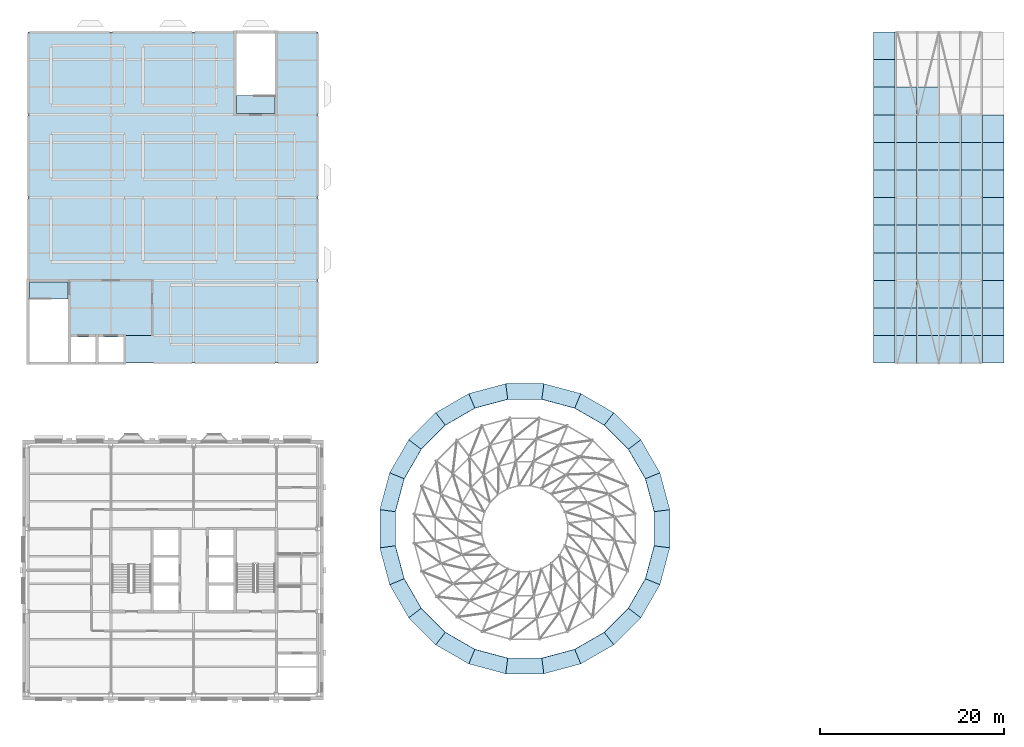
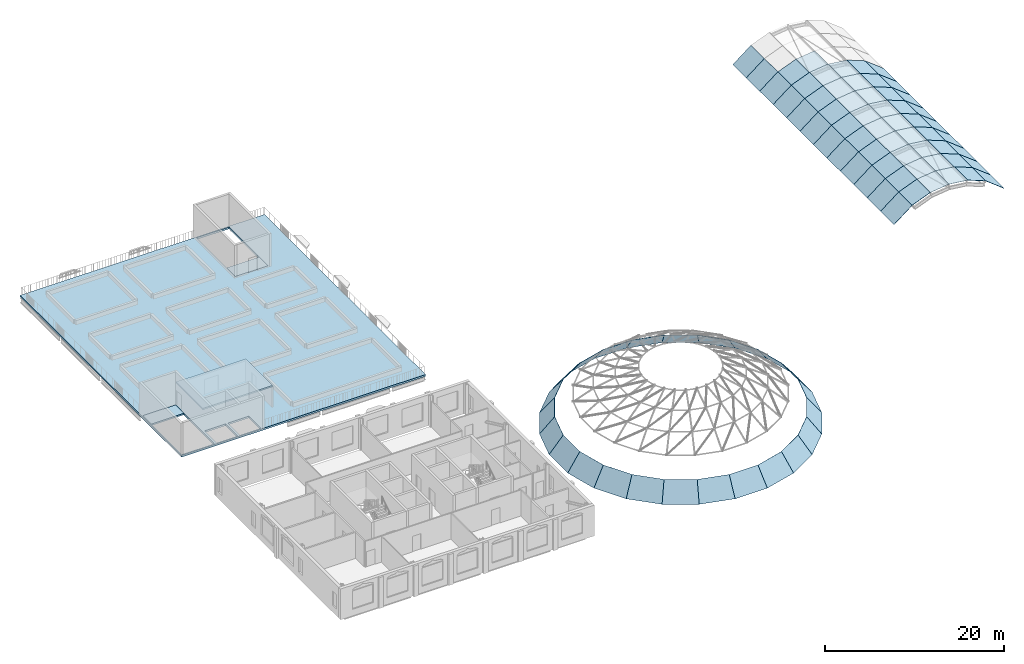
# One storey, part 10 of 33: 83 plates, 4 slabs.
"""IFC4 building model written with IfcOpenShell, lengths in metres."""

from ifc_helpers import new_model, si_unit, direction, frame, origin, place, context, subcontext, project, spatial, polyline, outline, extrude, material, layer, layer_set, type_object, element, save


model = new_model("IFC4")

# Units and contexts
model_context = context("Model", 3, precision=1e-05, world=origin(), true_north=direction((0.0, 1.0)))
body_context = subcontext(model_context, "Body", "Model", "MODEL_VIEW")
ifc_project = project(units=[si_unit("LENGTHUNIT", "METRE"), si_unit("AREAUNIT", "SQUARE_METRE"), si_unit("VOLUMEUNIT", "CUBIC_METRE"), si_unit("PLANEANGLEUNIT", "RADIAN"), si_unit("MASSUNIT", "GRAM", prefix="KILO")], contexts=[model_context])

# Site, building, storey
site_placement = place(None, origin())
site = spatial("IfcSite", under=ifc_project, at=site_placement, CompositionType="ELEMENT")
building_placement = place(site_placement, origin())
building = spatial("IfcBuilding", under=site, at=building_placement, Name="Hortulan Conservatory and Botanical Research Centre", CompositionType="ELEMENT")
storey_placement = place(building_placement, frame((0.0, 0.0, 19.199951171875)))
storey = spatial("IfcBuildingStorey", under=building, at=storey_placement, Name="L04", CompositionType="ELEMENT", Elevation=19.199951171875)

# Plates
ifc_material_1 = material(Name="Low-e laminated glass", Category="glass")
ifc_layer_1 = layer(ifc_material_1, 0.030029296875)
ifc_layer_set_1 = layer_set([ifc_layer_1], Name="Dome Glazing Panel 30")
plate_type_1 = type_object("IfcPlateType", Name="Dome Glazing Panel 30", PredefinedType="SHEET", material=ifc_layer_set_1)
plate_1_placement = place(storey_placement, frame((69.766357421875, 20.07568359375, -3.618408203125), z_axis=(0.766346251822, 0.205325470037, 0.608732185508), x_axis=(-0.258805581801, 0.965929433637, 7.840195e-06)))
element("IfcPlate", 1, at=plate_1_placement, inside=storey, type_object=plate_type_1, Name="Dome glazing panel", PredefinedType="SHEET", context=body_context, shape_type="SweptSolid", body=[
    extrude(outline(polyline([(0.0, 0.0), (4.151463455322613, 0.0), (3.928000753932825, 2.786092645799239), (0.223185529814084, 2.786170282096055), (0.0, 0.0)])), origin(), (0.0, 0.0, -1.0), 0.030029296875),
])
plate_2_placement = place(storey_placement, frame((68.69189453125, 24.085693359375, -3.618408203125), z_axis=(0.687073397687, 0.396691939457, 0.608741038012), x_axis=(-0.500004925893, 0.866022559774, -6.711485e-06)))
element("IfcPlate", 2, at=plate_2_placement, inside=storey, type_object=plate_type_1, Name="Dome glazing panel", PredefinedType="SHEET", context=body_context, shape_type="SweptSolid", body=[
    extrude(outline(polyline([(0.0, 0.0), (4.151389183392515, 0.0), (3.928004021590868, 2.7861885444961767), (0.2230953647970788, 2.786122084342166), (0.0, 0.0)])), origin(), (0.0, 0.0, -1.0), 0.030029296875),
])
plate_3_placement = place(storey_placement, frame((66.6162109375, 27.680908203125, -3.618408203125), z_axis=(0.560987155401, 0.560987155401, 0.608758427415), x_axis=(-0.707106781187, 0.707106781187, 0.0)))
element("IfcPlate", 3, at=plate_3_placement, inside=storey, type_object=plate_type_1, Name="Dome glazing panel", PredefinedType="SHEET", context=body_context, shape_type="SweptSolid", body=[
    extrude(outline(polyline([(0.0, 0.0), (4.151144936623956, 0.0), (3.9279298321136515, 2.78620217414462), (0.22321510451030424, 2.78620217414462), (0.0, 0.0)])), origin(), (0.0, 0.0, -1.0), 0.030029296875),
])
plate_4_placement = place(storey_placement, frame((63.680908203125, 30.6162109375, -3.618408203125), z_axis=(0.396691939457, 0.687073397687, 0.608741038012), x_axis=(-0.866022559774, 0.500004925893, 6.711485e-06)))
element("IfcPlate", 4, at=plate_4_placement, inside=storey, type_object=plate_type_1, Name="Dome glazing panel", PredefinedType="SHEET", context=body_context, shape_type="SweptSolid", body=[
    extrude(outline(polyline([(0.0, 0.0), (4.151389183392515, 0.0), (3.928293818595436, 2.786122084342166), (0.22338516180164736, 2.786188544496177), (0.0, 0.0)])), origin(), (0.0, 0.0, -1.0), 0.030029296875),
])
plate_5_placement = place(storey_placement, frame((60.085693359375, 32.69189453125, -3.618408203125), z_axis=(0.205325470037, 0.766346251822, 0.608732185508), x_axis=(-0.965929433637, 0.258805581801, -7.840195e-06)))
element("IfcPlate", 5, at=plate_5_placement, inside=storey, type_object=plate_type_1, Name="Dome glazing panel", PredefinedType="SHEET", context=body_context, shape_type="SweptSolid", body=[
    extrude(outline(polyline([(0.0, 0.0), (4.151463455322613, 0.0), (3.9282779255085294, 2.786170282096055), (0.22346270138978802, 2.786092645799239), (0.0, 0.0)])), origin(), (0.0, 0.0, -1.0), 0.030029296875),
])
plate_6_placement = place(storey_placement, frame((56.07568359375, 33.766357421875, -3.618408203125), z_axis=(0.0, 0.79336936033, 0.608740550719), x_axis=(-1.0, 0.0, 0.0)))
element("IfcPlate", 6, at=plate_6_placement, inside=storey, type_object=plate_type_1, Name="Dome glazing panel", PredefinedType="SHEET", context=body_context, shape_type="SweptSolid", body=[
    extrude(outline(polyline([(0.0, 0.0), (4.1513671875, 0.0), (3.927978515625, 2.786154002507841), (0.223388671875, 2.786154002507841), (0.0, 0.0)])), origin(), (0.0, 0.0, -1.0), 0.030029296875),
])
plate_7_placement = place(storey_placement, frame((51.92431640625, 33.766357421875, -3.618408203125), z_axis=(-0.205325470037, 0.766346251822, 0.608732185508), x_axis=(-0.965929433637, -0.258805581801, 7.840195e-06)))
element("IfcPlate", 7, at=plate_7_placement, inside=storey, type_object=plate_type_1, Name="Dome glazing panel", PredefinedType="SHEET", context=body_context, shape_type="SweptSolid", body=[
    extrude(outline(polyline([(0.0, 0.0), (4.151463455322613, 0.0), (3.928000753932825, 2.786092645799239), (0.223185529814084, 2.786170282096055), (0.0, 0.0)])), origin(), (0.0, 0.0, -1.0), 0.030029296875),
])
plate_8_placement = place(storey_placement, frame((47.914306640625, 32.69189453125, -3.618408203125), z_axis=(-0.396691939457, 0.687073397687, 0.608741038012), x_axis=(-0.866022559774, -0.500004925893, -6.711485e-06)))
element("IfcPlate", 8, at=plate_8_placement, inside=storey, type_object=plate_type_1, Name="Dome glazing panel", PredefinedType="SHEET", context=body_context, shape_type="SweptSolid", body=[
    extrude(outline(polyline([(0.0, 0.0), (4.151389183392515, 0.0), (3.928004021590868, 2.7861885444961767), (0.2230953647970788, 2.786122084342166), (0.0, 0.0)])), origin(), (0.0, 0.0, -1.0), 0.030029296875),
])
plate_9_placement = place(storey_placement, frame((44.319091796875, 30.6162109375, -3.618408203125), z_axis=(-0.560987155401, 0.560987155401, 0.608758427415), x_axis=(-0.707106781187, -0.707106781187, 0.0)))
element("IfcPlate", 9, at=plate_9_placement, inside=storey, type_object=plate_type_1, Name="Dome glazing panel", PredefinedType="SHEET", context=body_context, shape_type="SweptSolid", body=[
    extrude(outline(polyline([(0.0, 0.0), (4.151144936623956, 0.0), (3.9279298321136515, 2.78620217414462), (0.22321510451030424, 2.78620217414462), (0.0, 0.0)])), origin(), (0.0, 0.0, -1.0), 0.030029296875),
])
plate_10_placement = place(storey_placement, frame((41.3837890625, 27.680908203125, -3.618408203125), z_axis=(-0.687073397687, 0.396691939457, 0.608741038012), x_axis=(-0.500004925893, -0.866022559774, 6.711485e-06)))
element("IfcPlate", 10, at=plate_10_placement, inside=storey, type_object=plate_type_1, Name="Dome glazing panel", PredefinedType="SHEET", context=body_context, shape_type="SweptSolid", body=[
    extrude(outline(polyline([(0.0, 0.0), (4.151389183392515, 0.0), (3.928293818595436, 2.786122084342166), (0.22338516180164736, 2.786188544496177), (0.0, 0.0)])), origin(), (0.0, 0.0, -1.0), 0.030029296875),
])
plate_11_placement = place(storey_placement, frame((39.30810546875, 24.085693359375, -3.618408203125), z_axis=(-0.766346251822, 0.205325470037, 0.608732185508), x_axis=(-0.258805581801, -0.965929433637, -7.840195e-06)))
element("IfcPlate", 11, at=plate_11_placement, inside=storey, type_object=plate_type_1, Name="Dome glazing panel", PredefinedType="SHEET", context=body_context, shape_type="SweptSolid", body=[
    extrude(outline(polyline([(0.0, 0.0), (4.151463455322613, 0.0), (3.9282779255085294, 2.786170282096055), (0.22346270138978802, 2.786092645799239), (0.0, 0.0)])), origin(), (0.0, 0.0, -1.0), 0.030029296875),
])
plate_12_placement = place(storey_placement, frame((38.233642578125, 20.07568359375, -3.618408203125), z_axis=(-0.79336936033, 0.0, 0.608740550719), x_axis=(0.0, -1.0, 0.0)))
element("IfcPlate", 12, at=plate_12_placement, inside=storey, type_object=plate_type_1, Name="Dome glazing panel", PredefinedType="SHEET", context=body_context, shape_type="SweptSolid", body=[
    extrude(outline(polyline([(0.0, 0.0), (4.1513671875, 0.0), (3.927978515625, 2.786154002507841), (0.223388671875, 2.786154002507841), (0.0, 0.0)])), origin(), (0.0, 0.0, -1.0), 0.030029296875),
])
plate_13_placement = place(storey_placement, frame((38.233642578125, 15.92431640625, -3.618408203125), z_axis=(-0.766346251822, -0.205325470037, 0.608732185508), x_axis=(0.258805581801, -0.965929433637, 7.840195e-06)))
element("IfcPlate", 13, at=plate_13_placement, inside=storey, type_object=plate_type_1, Name="Dome glazing panel", PredefinedType="SHEET", context=body_context, shape_type="SweptSolid", body=[
    extrude(outline(polyline([(0.0, 0.0), (4.151463455322613, 0.0), (3.928000753932825, 2.786092645799239), (0.223185529814084, 2.786170282096055), (0.0, 0.0)])), origin(), (0.0, 0.0, -1.0), 0.030029296875),
])
plate_14_placement = place(storey_placement, frame((39.30810546875, 11.914306640625, -3.618408203125), z_axis=(-0.687073397687, -0.396691939457, 0.608741038012), x_axis=(0.500004925893, -0.866022559774, -6.711485e-06)))
element("IfcPlate", 14, at=plate_14_placement, inside=storey, type_object=plate_type_1, Name="Dome glazing panel", PredefinedType="SHEET", context=body_context, shape_type="SweptSolid", body=[
    extrude(outline(polyline([(0.0, 0.0), (4.151389183392515, 0.0), (3.928004021590868, 2.7861885444961767), (0.2230953647970788, 2.786122084342166), (0.0, 0.0)])), origin(), (0.0, 0.0, -1.0), 0.030029296875),
])
plate_15_placement = place(storey_placement, frame((41.3837890625, 8.319091796875, -3.618408203125), z_axis=(-0.560987155401, -0.560987155401, 0.608758427415), x_axis=(0.707106781187, -0.707106781187, 0.0)))
element("IfcPlate", 15, at=plate_15_placement, inside=storey, type_object=plate_type_1, Name="Dome glazing panel", PredefinedType="SHEET", context=body_context, shape_type="SweptSolid", body=[
    extrude(outline(polyline([(0.0, 0.0), (4.151144936623956, 0.0), (3.9279298321136515, 2.78620217414462), (0.22321510451030424, 2.78620217414462), (0.0, 0.0)])), origin(), (0.0, 0.0, -1.0), 0.030029296875),
])
plate_16_placement = place(storey_placement, frame((44.319091796875, 5.3837890625, -3.618408203125), z_axis=(-0.396691939457, -0.687073397687, 0.608741038012), x_axis=(0.866022559774, -0.500004925893, 6.711485e-06)))
element("IfcPlate", 16, at=plate_16_placement, inside=storey, type_object=plate_type_1, Name="Dome glazing panel", PredefinedType="SHEET", context=body_context, shape_type="SweptSolid", body=[
    extrude(outline(polyline([(0.0, 0.0), (4.151389183392515, 0.0), (3.928293818595436, 2.786122084342166), (0.22338516180164736, 2.786188544496177), (0.0, 0.0)])), origin(), (0.0, 0.0, -1.0), 0.030029296875),
])
plate_17_placement = place(storey_placement, frame((47.914306640625, 3.30810546875, -3.618408203125), z_axis=(-0.205325470037, -0.766346251822, 0.608732185508), x_axis=(0.965929433637, -0.258805581801, -7.840195e-06)))
element("IfcPlate", 17, at=plate_17_placement, inside=storey, type_object=plate_type_1, Name="Dome glazing panel", PredefinedType="SHEET", context=body_context, shape_type="SweptSolid", body=[
    extrude(outline(polyline([(0.0, 0.0), (4.151463455322613, 0.0), (3.9282779255085294, 2.786170282096055), (0.22346270138978802, 2.786092645799239), (0.0, 0.0)])), origin(), (0.0, 0.0, -1.0), 0.030029296875),
])
plate_18_placement = place(storey_placement, frame((51.92431640625, 2.233642578125, -3.618408203125), z_axis=(0.0, -0.79336936033, 0.608740550719), x_axis=(1.0, 0.0, 0.0)))
element("IfcPlate", 18, at=plate_18_placement, inside=storey, type_object=plate_type_1, Name="Dome glazing panel", PredefinedType="SHEET", context=body_context, shape_type="SweptSolid", body=[
    extrude(outline(polyline([(0.0, 0.0), (4.1513671875, 0.0), (3.927978515625, 2.786154002507841), (0.223388671875, 2.786154002507841), (0.0, 0.0)])), origin(), (0.0, 0.0, -1.0), 0.030029296875),
])
plate_19_placement = place(storey_placement, frame((56.07568359375, 2.233642578125, -3.618408203125), z_axis=(0.205325470037, -0.766346251822, 0.608732185508), x_axis=(0.965929433637, 0.258805581801, 7.840195e-06)))
element("IfcPlate", 19, at=plate_19_placement, inside=storey, type_object=plate_type_1, Name="Dome glazing panel", PredefinedType="SHEET", context=body_context, shape_type="SweptSolid", body=[
    extrude(outline(polyline([(0.0, 0.0), (4.151463455322613, 0.0), (3.928000753932825, 2.786092645799239), (0.223185529814084, 2.786170282096055), (0.0, 0.0)])), origin(), (0.0, 0.0, -1.0), 0.030029296875),
])
plate_20_placement = place(storey_placement, frame((60.085693359375, 3.30810546875, -3.618408203125), z_axis=(0.396691939457, -0.687073397687, 0.608741038012), x_axis=(0.866022559774, 0.500004925893, -6.711485e-06)))
element("IfcPlate", 20, at=plate_20_placement, inside=storey, type_object=plate_type_1, Name="Dome glazing panel", PredefinedType="SHEET", context=body_context, shape_type="SweptSolid", body=[
    extrude(outline(polyline([(0.0, 0.0), (4.151389183392515, 0.0), (3.928004021590868, 2.7861885444961767), (0.2230953647970788, 2.786122084342166), (0.0, 0.0)])), origin(), (0.0, 0.0, -1.0), 0.030029296875),
])
plate_21_placement = place(storey_placement, frame((63.680908203125, 5.3837890625, -3.618408203125), z_axis=(0.560987155401, -0.560987155401, 0.608758427415), x_axis=(0.707106781187, 0.707106781187, 0.0)))
element("IfcPlate", 21, at=plate_21_placement, inside=storey, type_object=plate_type_1, Name="Dome glazing panel", PredefinedType="SHEET", context=body_context, shape_type="SweptSolid", body=[
    extrude(outline(polyline([(0.0, 0.0), (4.151144936623956, 0.0), (3.9279298321136515, 2.78620217414462), (0.22321510451030424, 2.78620217414462), (0.0, 0.0)])), origin(), (0.0, 0.0, -1.0), 0.030029296875),
])
plate_22_placement = place(storey_placement, frame((66.6162109375, 8.319091796875, -3.618408203125), z_axis=(0.687073397687, -0.396691939457, 0.608741038012), x_axis=(0.500004925893, 0.866022559774, 6.711485e-06)))
element("IfcPlate", 22, at=plate_22_placement, inside=storey, type_object=plate_type_1, Name="Dome glazing panel", PredefinedType="SHEET", context=body_context, shape_type="SweptSolid", body=[
    extrude(outline(polyline([(0.0, 0.0), (4.151389183392515, 0.0), (3.928293818595436, 2.786122084342166), (0.22338516180164736, 2.786188544496177), (0.0, 0.0)])), origin(), (0.0, 0.0, -1.0), 0.030029296875),
])
plate_23_placement = place(storey_placement, frame((68.69189453125, 11.914306640625, -3.618408203125), z_axis=(0.766346251822, -0.205325470037, 0.608732185508), x_axis=(0.258805581801, 0.965929433637, -7.840195e-06)))
element("IfcPlate", 23, at=plate_23_placement, inside=storey, type_object=plate_type_1, Name="Dome glazing panel", PredefinedType="SHEET", context=body_context, shape_type="SweptSolid", body=[
    extrude(outline(polyline([(0.0, 0.0), (4.151463455322613, 0.0), (3.9282779255085294, 2.786170282096055), (0.22346270138978802, 2.786092645799239), (0.0, 0.0)])), origin(), (0.0, 0.0, -1.0), 0.030029296875),
])
plate_24_placement = place(storey_placement, frame((69.766357421875, 15.92431640625, -3.618408203125), z_axis=(0.79336936033, 0.0, 0.608740550719), x_axis=(0.0, 1.0, 0.0)))
element("IfcPlate", 24, at=plate_24_placement, inside=storey, type_object=plate_type_1, Name="Dome glazing panel", PredefinedType="SHEET", context=body_context, shape_type="SweptSolid", body=[
    extrude(outline(polyline([(0.0, 0.0), (4.1513671875, 0.0), (3.927978515625, 2.786154002507841), (0.223388671875, 2.786154002507841), (0.0, 0.0)])), origin(), (0.0, 0.0, -1.0), 0.030029296875),
])

# Slabs
ifc_material_2 = material(Name="Concrete N40 (40 MPa, AS 3600)", Category="concrete")
ifc_layer_2 = layer(ifc_material_2, 0.25)
ifc_layer_set_2 = layer_set([ifc_layer_2], Name="Landscaped Roof Slab 250")
slab_type_1 = type_object("IfcSlabType", Name="Landscaped Roof Slab 250", PredefinedType="ROOF", material=ifc_layer_set_2)
slab_1_placement = place(storey_placement, frame((0.0, 0.0, -0.25)))
element("IfcSlab", 25, at=slab_1_placement, inside=storey, type_object=slab_type_1, Name="Roof slab", PredefinedType="ROOF", context=body_context, shape_type="SweptSolid", body=[
    extrude(outline(polyline([(0.0, 36.0), (31.5, 36.0), (31.5, 72.0), (0.0, 72.0), (0.0, 36.0)]), holes=[polyline([(4.64990234375, 36.14990234375), (7.35009765625, 36.14990234375), (7.35009765625, 38.85009765625), (4.64990234375, 38.85009765625), (4.64990234375, 36.14990234375)]), polyline([(7.64990234375, 36.14990234375), (10.35009765625, 36.14990234375), (10.35009765625, 38.85009765625), (7.64990234375, 38.85009765625), (7.64990234375, 36.14990234375)]), polyline([(0.14990234375, 36.14990234375), (4.35009765625, 36.14990234375), (4.35009765625, 44.85009765625), (0.14990234375, 44.85009765625), (0.14990234375, 36.14990234375)]), polyline([(22.64990234375, 63.14990234375), (26.85009765625, 63.14990234375), (26.85009765625, 71.85009765625), (22.64990234375, 71.85009765625), (22.64990234375, 63.14990234375)])]), origin(), (0.0, 0.0, 1.0), 0.25),
])
ifc_layer_3 = layer(ifc_material_2, 0.199951171875)
ifc_layer_set_3 = layer_set([ifc_layer_3], Name="Roof Garden Lobby Roof Slab 200")
slab_type_2 = type_object("IfcSlabType", Name="Roof Garden Lobby Roof Slab 200", PredefinedType="ROOF", material=ifc_layer_set_3)
slab_2_placement = place(storey_placement, frame((0.0, 0.0, 2.800048828125)))
element("IfcSlab", 26, at=slab_2_placement, inside=storey, type_object=slab_type_2, Name="Roof garden lobby roof slab", PredefinedType="ROOF", context=body_context, shape_type="SweptSolid", body=[
    extrude(outline(polyline([(4.5, 39.0), (13.5, 39.0), (13.5, 45.0), (4.5, 45.0), (4.5, 39.0)])), origin(), (0.0, 0.0, 1.0), 0.199951171875),
])
ifc_layer_4 = layer(ifc_material_2, 0.199951171875)
ifc_layer_set_4 = layer_set([ifc_layer_4], Name="Stair Landing 200")
slab_type_3 = type_object("IfcSlabType", Name="Stair Landing 200", PredefinedType="LANDING", material=ifc_layer_set_4)
slab_3_placement = place(storey_placement, frame((0.0, 0.0, -0.199951171875)))
element("IfcSlab", 27, at=slab_3_placement, inside=storey, type_object=slab_type_3, Name="Stair V1 floor landing L04", PredefinedType="LANDING", context=body_context, shape_type="SweptSolid", body=[
    extrude(outline(polyline([(0.14990234375, 44.85009765625), (4.35009765625, 44.85009765625), (4.35009765625, 42.949951171875), (0.14990234375, 42.949951171875), (0.14990234375, 44.85009765625)])), origin(), (0.0, 0.0, 1.0), 0.199951171875),
])
slab_4_placement = place(storey_placement, frame((0.0, 0.0, -0.199951171875)))
element("IfcSlab", 28, at=slab_4_placement, inside=storey, type_object=slab_type_3, Name="Stair V2 floor landing L04", PredefinedType="LANDING", context=body_context, shape_type="SweptSolid", body=[
    extrude(outline(polyline([(26.85009765625, 63.14990234375), (22.64990234375, 63.14990234375), (22.64990234375, 65.10009765625), (26.85009765625, 65.10009765625), (26.85009765625, 63.14990234375)])), origin(), (0.0, 0.0, 1.0), 0.199951171875),
])

# Plates
ifc_material_3 = material(Name="Verdigris copper-green zinc sheet on timber decking", Category="wood")
ifc_layer_5 = layer(ifc_material_3, 0.0400390625)
ifc_layer_set_5 = layer_set([ifc_layer_5], Name="Vault Roof Zinc Panel 40")
plate_type_2 = type_object("IfcPlateType", Name="Vault Roof Zinc Panel 40", PredefinedType="SHEET", material=ifc_layer_set_5)
for number, where, z_axis, x_axis, name in (
    (29, (91.906005859375, 36.0, -0.710205078125), (-0.613063480961, 0.0, 0.790033650113), (0.790033650113, 0.0, 0.613063480961), "Vault roof panel"),
    (30, (91.906005859375, 39.0, -0.710205078125), (-0.613063480961, 0.0, 0.790033650113), (0.790033650113, 0.0, 0.613063480961), "Vault roof panel"),
    (31, (91.906005859375, 42.0, -0.710205078125), (-0.613063480961, 0.0, 0.790033650113), (0.790033650113, 0.0, 0.613063480961), "Vault roof panel"),
):
    element("IfcPlate", number, at=place(storey_placement, frame(where, z_axis=z_axis, x_axis=x_axis)), inside=storey, type_object=plate_type_2, Name=name, PredefinedType="SHEET", context=body_context, shape_type="SweptSolid", body=[
        extrude(outline(polyline([(0.0, 0.0), (2.968808966603175, 0.0), (2.968808966603175, 3.0), (0.0, 3.0), (0.0, 0.0)])), origin(), (0.0, 0.0, -1.0), 0.0400390625),
    ])
for number, where, z_axis, x_axis, name in (
    (32, (94.25146484375, 36.0, 1.10986328125), (-0.366524518382, 0.0, 0.930408392817), (0.930408392817, 0.0, 0.366524518382), "Vault roof panel"),
    (33, (94.25146484375, 39.0, 1.10986328125), (-0.366524518382, 0.0, 0.930408392817), (0.930408392817, 0.0, 0.366524518382), "Vault roof panel"),
    (34, (94.25146484375, 42.0, 1.10986328125), (-0.366524518382, 0.0, 0.930408392817), (0.930408392817, 0.0, 0.366524518382), "Vault roof panel"),
):
    element("IfcPlate", number, at=place(storey_placement, frame(where, z_axis=z_axis, x_axis=x_axis)), inside=storey, type_object=plate_type_2, Name=name, PredefinedType="SHEET", context=body_context, shape_type="SweptSolid", body=[
        extrude(outline(polyline([(0.0, 0.0), (2.511183045303114, 0.0), (2.511183045303114, 3.0), (0.0, 3.0), (0.0, 0.0)])), origin(), (0.0, 0.0, -1.0), 0.0400390625),
    ])
for number, where, z_axis, x_axis, name in (
    (35, (96.587890625, 36.0, 2.0302734375), (-0.122056241944, 0.0, 0.992523185524), (0.992523185524, 0.0, 0.122056241944), "Vault roof panel"),
    (36, (96.587890625, 39.0, 2.0302734375), (-0.122056241944, 0.0, 0.992523185524), (0.992523185524, 0.0, 0.122056241944), "Vault roof panel"),
    (37, (96.587890625, 42.0, 2.0302734375), (-0.122056241944, 0.0, 0.992523185524), (0.992523185524, 0.0, 0.122056241944), "Vault roof panel"),
    (38, (99.0, 36.0, 2.326904296875), (0.122056241944, 0.0, 0.992523185524), (0.992523185524, 0.0, -0.122056241944), "Vault roof panel"),
    (39, (99.0, 39.0, 2.326904296875), (0.122056241944, 0.0, 0.992523185524), (0.992523185524, 0.0, -0.122056241944), "Vault roof panel"),
    (40, (99.0, 42.0, 2.326904296875), (0.122056241944, 0.0, 0.992523185524), (0.992523185524, 0.0, -0.122056241944), "Vault roof panel"),
):
    element("IfcPlate", number, at=place(storey_placement, frame(where, z_axis=z_axis, x_axis=x_axis)), inside=storey, type_object=plate_type_2, Name=name, PredefinedType="SHEET", context=body_context, shape_type="SweptSolid", body=[
        extrude(outline(polyline([(0.0, 0.0), (2.4302801286469924, 0.0), (2.4302801286469924, 3.0), (0.0, 3.0), (0.0, 0.0)])), origin(), (0.0, 0.0, -1.0), 0.0400390625),
    ])
for number, where, z_axis, x_axis, name in (
    (41, (101.412109375, 36.0, 2.0302734375), (0.366524518382, 0.0, 0.930408392817), (0.930408392817, 0.0, -0.366524518382), "Vault roof panel"),
    (42, (101.412109375, 39.0, 2.0302734375), (0.366524518382, 0.0, 0.930408392817), (0.930408392817, 0.0, -0.366524518382), "Vault roof panel"),
    (43, (101.412109375, 42.0, 2.0302734375), (0.366524518382, 0.0, 0.930408392817), (0.930408392817, 0.0, -0.366524518382), "Vault roof panel"),
):
    element("IfcPlate", number, at=place(storey_placement, frame(where, z_axis=z_axis, x_axis=x_axis)), inside=storey, type_object=plate_type_2, Name=name, PredefinedType="SHEET", context=body_context, shape_type="SweptSolid", body=[
        extrude(outline(polyline([(0.0, 0.0), (2.511183045303114, 0.0), (2.511183045303114, 3.0), (0.0, 3.0), (0.0, 0.0)])), origin(), (0.0, 0.0, -1.0), 0.0400390625),
    ])
for number, where, z_axis, x_axis, name in (
    (44, (103.74853515625, 36.0, 1.10986328125), (0.613063480961, 0.0, 0.790033650113), (0.790033650113, 0.0, -0.613063480961), "Vault roof panel"),
    (45, (103.74853515625, 39.0, 1.10986328125), (0.613063480961, 0.0, 0.790033650113), (0.790033650113, 0.0, -0.613063480961), "Vault roof panel"),
    (46, (103.74853515625, 42.0, 1.10986328125), (0.613063480961, 0.0, 0.790033650113), (0.790033650113, 0.0, -0.613063480961), "Vault roof panel"),
    (47, (91.906005859375, 45.0, -0.710205078125), (-0.613063480961, 0.0, 0.790033650113), (0.790033650113, 0.0, 0.613063480961), "Vault roof panel"),
    (48, (91.906005859375, 48.0, -0.710205078125), (-0.613063480961, 0.0, 0.790033650113), (0.790033650113, 0.0, 0.613063480961), "Vault roof panel"),
    (49, (91.906005859375, 51.0, -0.710205078125), (-0.613063480961, 0.0, 0.790033650113), (0.790033650113, 0.0, 0.613063480961), "Vault roof panel"),
):
    element("IfcPlate", number, at=place(storey_placement, frame(where, z_axis=z_axis, x_axis=x_axis)), inside=storey, type_object=plate_type_2, Name=name, PredefinedType="SHEET", context=body_context, shape_type="SweptSolid", body=[
        extrude(outline(polyline([(0.0, 0.0), (2.968808966603175, 0.0), (2.968808966603175, 3.0), (0.0, 3.0), (0.0, 0.0)])), origin(), (0.0, 0.0, -1.0), 0.0400390625),
    ])
for number, where, z_axis, x_axis, name in (
    (50, (94.25146484375, 45.0, 1.10986328125), (-0.366524518382, 0.0, 0.930408392817), (0.930408392817, 0.0, 0.366524518382), "Vault roof panel"),
    (51, (94.25146484375, 48.0, 1.10986328125), (-0.366524518382, 0.0, 0.930408392817), (0.930408392817, 0.0, 0.366524518382), "Vault roof panel"),
    (52, (94.25146484375, 51.0, 1.10986328125), (-0.366524518382, 0.0, 0.930408392817), (0.930408392817, 0.0, 0.366524518382), "Vault roof panel"),
):
    element("IfcPlate", number, at=place(storey_placement, frame(where, z_axis=z_axis, x_axis=x_axis)), inside=storey, type_object=plate_type_2, Name=name, PredefinedType="SHEET", context=body_context, shape_type="SweptSolid", body=[
        extrude(outline(polyline([(0.0, 0.0), (2.511183045303114, 0.0), (2.511183045303114, 3.0), (0.0, 3.0), (0.0, 0.0)])), origin(), (0.0, 0.0, -1.0), 0.0400390625),
    ])
for number, where, z_axis, x_axis, name in (
    (53, (96.587890625, 45.0, 2.0302734375), (-0.122056241944, 0.0, 0.992523185524), (0.992523185524, 0.0, 0.122056241944), "Vault roof panel"),
    (54, (96.587890625, 48.0, 2.0302734375), (-0.122056241944, 0.0, 0.992523185524), (0.992523185524, 0.0, 0.122056241944), "Vault roof panel"),
    (55, (96.587890625, 51.0, 2.0302734375), (-0.122056241944, 0.0, 0.992523185524), (0.992523185524, 0.0, 0.122056241944), "Vault roof panel"),
    (56, (99.0, 45.0, 2.326904296875), (0.122056241944, 0.0, 0.992523185524), (0.992523185524, 0.0, -0.122056241944), "Vault roof panel"),
    (57, (99.0, 48.0, 2.326904296875), (0.122056241944, 0.0, 0.992523185524), (0.992523185524, 0.0, -0.122056241944), "Vault roof panel"),
    (58, (99.0, 51.0, 2.326904296875), (0.122056241944, 0.0, 0.992523185524), (0.992523185524, 0.0, -0.122056241944), "Vault roof panel"),
):
    element("IfcPlate", number, at=place(storey_placement, frame(where, z_axis=z_axis, x_axis=x_axis)), inside=storey, type_object=plate_type_2, Name=name, PredefinedType="SHEET", context=body_context, shape_type="SweptSolid", body=[
        extrude(outline(polyline([(0.0, 0.0), (2.4302801286469924, 0.0), (2.4302801286469924, 3.0), (0.0, 3.0), (0.0, 0.0)])), origin(), (0.0, 0.0, -1.0), 0.0400390625),
    ])
for number, where, z_axis, x_axis, name in (
    (59, (101.412109375, 45.0, 2.0302734375), (0.366524518382, 0.0, 0.930408392817), (0.930408392817, 0.0, -0.366524518382), "Vault roof panel"),
    (60, (101.412109375, 48.0, 2.0302734375), (0.366524518382, 0.0, 0.930408392817), (0.930408392817, 0.0, -0.366524518382), "Vault roof panel"),
    (61, (101.412109375, 51.0, 2.0302734375), (0.366524518382, 0.0, 0.930408392817), (0.930408392817, 0.0, -0.366524518382), "Vault roof panel"),
):
    element("IfcPlate", number, at=place(storey_placement, frame(where, z_axis=z_axis, x_axis=x_axis)), inside=storey, type_object=plate_type_2, Name=name, PredefinedType="SHEET", context=body_context, shape_type="SweptSolid", body=[
        extrude(outline(polyline([(0.0, 0.0), (2.511183045303114, 0.0), (2.511183045303114, 3.0), (0.0, 3.0), (0.0, 0.0)])), origin(), (0.0, 0.0, -1.0), 0.0400390625),
    ])
for number, where, z_axis, x_axis, name in (
    (62, (103.74853515625, 45.0, 1.10986328125), (0.613063480961, 0.0, 0.790033650113), (0.790033650113, 0.0, -0.613063480961), "Vault roof panel"),
    (63, (103.74853515625, 48.0, 1.10986328125), (0.613063480961, 0.0, 0.790033650113), (0.790033650113, 0.0, -0.613063480961), "Vault roof panel"),
    (64, (103.74853515625, 51.0, 1.10986328125), (0.613063480961, 0.0, 0.790033650113), (0.790033650113, 0.0, -0.613063480961), "Vault roof panel"),
    (65, (91.906005859375, 54.0, -0.710205078125), (-0.613063480961, 0.0, 0.790033650113), (0.790033650113, 0.0, 0.613063480961), "Vault roof panel"),
    (66, (91.906005859375, 57.0, -0.710205078125), (-0.613063480961, 0.0, 0.790033650113), (0.790033650113, 0.0, 0.613063480961), "Vault roof panel"),
    (67, (91.906005859375, 60.0, -0.710205078125), (-0.613063480961, 0.0, 0.790033650113), (0.790033650113, 0.0, 0.613063480961), "Vault roof panel"),
):
    element("IfcPlate", number, at=place(storey_placement, frame(where, z_axis=z_axis, x_axis=x_axis)), inside=storey, type_object=plate_type_2, Name=name, PredefinedType="SHEET", context=body_context, shape_type="SweptSolid", body=[
        extrude(outline(polyline([(0.0, 0.0), (2.968808966603175, 0.0), (2.968808966603175, 3.0), (0.0, 3.0), (0.0, 0.0)])), origin(), (0.0, 0.0, -1.0), 0.0400390625),
    ])
for number, where, z_axis, x_axis, name in (
    (68, (94.25146484375, 54.0, 1.10986328125), (-0.366524518382, 0.0, 0.930408392817), (0.930408392817, 0.0, 0.366524518382), "Vault roof panel"),
    (69, (94.25146484375, 57.0, 1.10986328125), (-0.366524518382, 0.0, 0.930408392817), (0.930408392817, 0.0, 0.366524518382), "Vault roof panel"),
    (70, (94.25146484375, 60.0, 1.10986328125), (-0.366524518382, 0.0, 0.930408392817), (0.930408392817, 0.0, 0.366524518382), "Vault roof panel"),
):
    element("IfcPlate", number, at=place(storey_placement, frame(where, z_axis=z_axis, x_axis=x_axis)), inside=storey, type_object=plate_type_2, Name=name, PredefinedType="SHEET", context=body_context, shape_type="SweptSolid", body=[
        extrude(outline(polyline([(0.0, 0.0), (2.511183045303114, 0.0), (2.511183045303114, 3.0), (0.0, 3.0), (0.0, 0.0)])), origin(), (0.0, 0.0, -1.0), 0.0400390625),
    ])
for number, where, z_axis, x_axis, name in (
    (71, (96.587890625, 54.0, 2.0302734375), (-0.122056241944, 0.0, 0.992523185524), (0.992523185524, 0.0, 0.122056241944), "Vault roof panel"),
    (72, (96.587890625, 57.0, 2.0302734375), (-0.122056241944, 0.0, 0.992523185524), (0.992523185524, 0.0, 0.122056241944), "Vault roof panel"),
    (73, (96.587890625, 60.0, 2.0302734375), (-0.122056241944, 0.0, 0.992523185524), (0.992523185524, 0.0, 0.122056241944), "Vault roof panel"),
    (74, (99.0, 54.0, 2.326904296875), (0.122056241944, 0.0, 0.992523185524), (0.992523185524, 0.0, -0.122056241944), "Vault roof panel"),
    (75, (99.0, 57.0, 2.326904296875), (0.122056241944, 0.0, 0.992523185524), (0.992523185524, 0.0, -0.122056241944), "Vault roof panel"),
    (76, (99.0, 60.0, 2.326904296875), (0.122056241944, 0.0, 0.992523185524), (0.992523185524, 0.0, -0.122056241944), "Vault roof panel"),
):
    element("IfcPlate", number, at=place(storey_placement, frame(where, z_axis=z_axis, x_axis=x_axis)), inside=storey, type_object=plate_type_2, Name=name, PredefinedType="SHEET", context=body_context, shape_type="SweptSolid", body=[
        extrude(outline(polyline([(0.0, 0.0), (2.4302801286469924, 0.0), (2.4302801286469924, 3.0), (0.0, 3.0), (0.0, 0.0)])), origin(), (0.0, 0.0, -1.0), 0.0400390625),
    ])
for number, where, z_axis, x_axis, name in (
    (77, (101.412109375, 54.0, 2.0302734375), (0.366524518382, 0.0, 0.930408392817), (0.930408392817, 0.0, -0.366524518382), "Vault roof panel"),
    (78, (101.412109375, 57.0, 2.0302734375), (0.366524518382, 0.0, 0.930408392817), (0.930408392817, 0.0, -0.366524518382), "Vault roof panel"),
    (79, (101.412109375, 60.0, 2.0302734375), (0.366524518382, 0.0, 0.930408392817), (0.930408392817, 0.0, -0.366524518382), "Vault roof panel"),
):
    element("IfcPlate", number, at=place(storey_placement, frame(where, z_axis=z_axis, x_axis=x_axis)), inside=storey, type_object=plate_type_2, Name=name, PredefinedType="SHEET", context=body_context, shape_type="SweptSolid", body=[
        extrude(outline(polyline([(0.0, 0.0), (2.511183045303114, 0.0), (2.511183045303114, 3.0), (0.0, 3.0), (0.0, 0.0)])), origin(), (0.0, 0.0, -1.0), 0.0400390625),
    ])
for number, where, z_axis, x_axis, name in (
    (80, (103.74853515625, 54.0, 1.10986328125), (0.613063480961, 0.0, 0.790033650113), (0.790033650113, 0.0, -0.613063480961), "Vault roof panel"),
    (81, (103.74853515625, 57.0, 1.10986328125), (0.613063480961, 0.0, 0.790033650113), (0.790033650113, 0.0, -0.613063480961), "Vault roof panel"),
    (82, (103.74853515625, 60.0, 1.10986328125), (0.613063480961, 0.0, 0.790033650113), (0.790033650113, 0.0, -0.613063480961), "Vault roof panel"),
    (83, (91.906005859375, 63.0, -0.710205078125), (-0.613063480961, 0.0, 0.790033650113), (0.790033650113, 0.0, 0.613063480961), "Vault roof panel"),
    (84, (91.906005859375, 66.0, -0.710205078125), (-0.613063480961, 0.0, 0.790033650113), (0.790033650113, 0.0, 0.613063480961), "Vault roof panel"),
    (85, (91.906005859375, 69.0, -0.710205078125), (-0.613063480961, 0.0, 0.790033650113), (0.790033650113, 0.0, 0.613063480961), "Vault roof panel"),
):
    element("IfcPlate", number, at=place(storey_placement, frame(where, z_axis=z_axis, x_axis=x_axis)), inside=storey, type_object=plate_type_2, Name=name, PredefinedType="SHEET", context=body_context, shape_type="SweptSolid", body=[
        extrude(outline(polyline([(0.0, 0.0), (2.968808966603175, 0.0), (2.968808966603175, 3.0), (0.0, 3.0), (0.0, 0.0)])), origin(), (0.0, 0.0, -1.0), 0.0400390625),
    ])
plate_25_placement = place(storey_placement, frame((94.25146484375, 63.0, 1.10986328125), z_axis=(-0.366524518382, 0.0, 0.930408392817), x_axis=(0.930408392817, 0.0, 0.366524518382)))
element("IfcPlate", 86, at=plate_25_placement, inside=storey, type_object=plate_type_2, Name="Vault roof panel", PredefinedType="SHEET", context=body_context, shape_type="SweptSolid", body=[
    extrude(outline(polyline([(0.0, 0.0), (2.511183045303114, 0.0), (2.511183045303114, 3.0), (0.0, 3.0), (0.0, 0.0)])), origin(), (0.0, 0.0, -1.0), 0.0400390625),
])
plate_26_placement = place(storey_placement, frame((96.587890625, 63.0, 2.0302734375), z_axis=(-0.122056241944, 0.0, 0.992523185524), x_axis=(0.992523185524, 0.0, 0.122056241944)))
element("IfcPlate", 87, at=plate_26_placement, inside=storey, type_object=plate_type_2, Name="Vault roof panel", PredefinedType="SHEET", context=body_context, shape_type="SweptSolid", body=[
    extrude(outline(polyline([(0.0, 0.0), (2.4302801286469924, 0.0), (2.4302801286469924, 3.0), (0.0, 3.0), (0.0, 0.0)])), origin(), (0.0, 0.0, -1.0), 0.0400390625),
])

save(model, "model.ifc")
